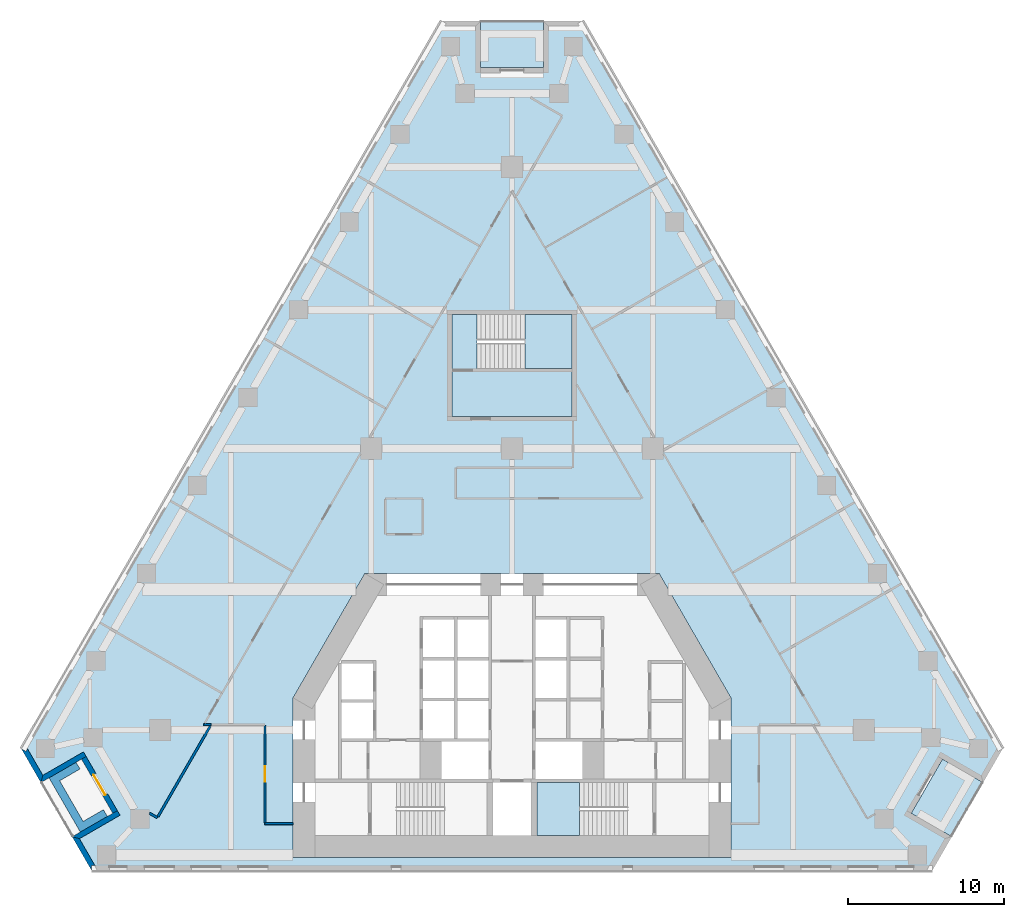
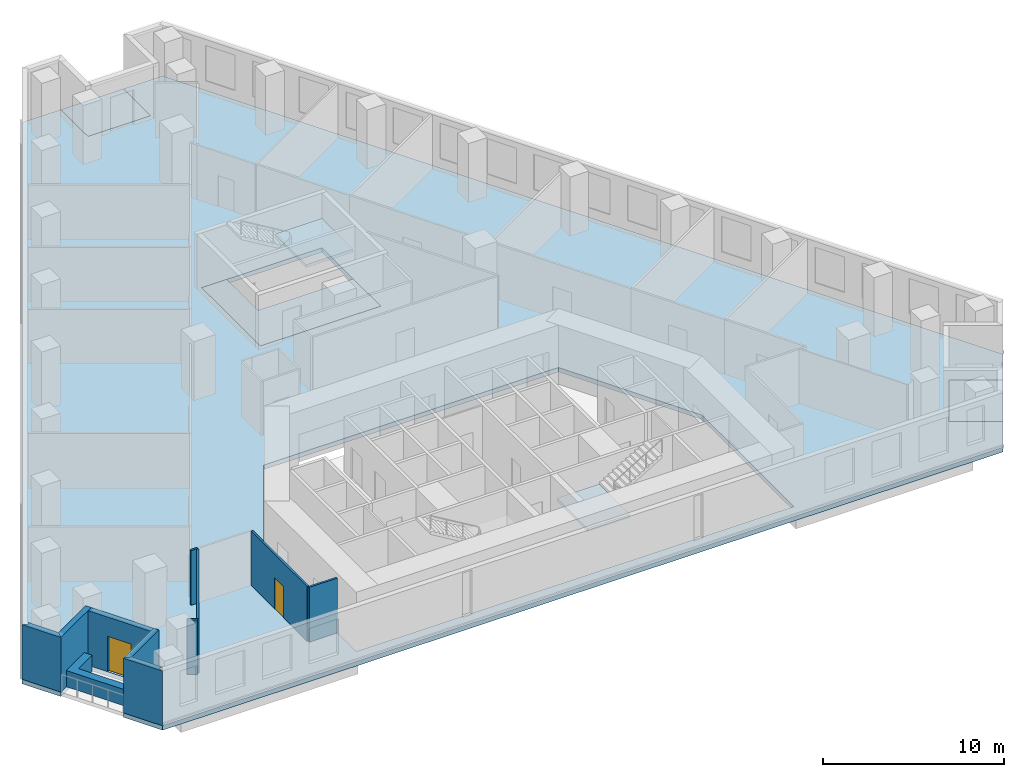
# One storey, part 2 of 9: 11 walls, 6 slabs, 2 doors, 2 openings, 2 elements without a shape of their own.
"""IFC4 building model written with IfcOpenShell, lengths in metres."""

from ifc_helpers import new_model, si_unit, direction, frame, frame_2d, origin, place, context, subcontext, project, spatial, polyline, rectangle, outline, extrude, material, layer, layer_set, type_object, element, fill, aggregate, save


model = new_model("IFC4")

# Units and contexts
model_context = context("Model", 3, precision=1e-05, world=origin(), true_north=direction((0.0, 1.0)))
body_context = subcontext(model_context, "Body", "Model", "MODEL_VIEW")
ifc_project = project(units=[si_unit("LENGTHUNIT", "METRE"), si_unit("AREAUNIT", "SQUARE_METRE"), si_unit("VOLUMEUNIT", "CUBIC_METRE"), si_unit("PLANEANGLEUNIT", "RADIAN"), si_unit("MASSUNIT", "GRAM", prefix="KILO")], contexts=[model_context])

# Site, building, storey
site_placement = place(None, origin())
site = spatial("IfcSite", under=ifc_project, at=site_placement, CompositionType="ELEMENT")
building_placement = place(site_placement, origin())
building = spatial("IfcBuilding", under=site, at=building_placement, Name="Fogline Exchange Tower", CompositionType="ELEMENT")
storey_placement = place(building_placement, frame((0.0, 0.0, 72.89990234375)))
storey = spatial("IfcBuildingStorey", under=building, at=storey_placement, Name="L15", CompositionType="ELEMENT", Elevation=72.89990234375)

# Slabs
ifc_material_1 = material(Name="Concrete C40", Category="concrete")
ifc_layer_1 = layer(ifc_material_1, 0.25)
ifc_layer_set_1 = layer_set([ifc_layer_1], Name="DK1")
slab_type_1 = type_object("IfcSlabType", Name="DK1", PredefinedType="FLOOR", material=ifc_layer_set_1)
slab_1_placement = place(storey_placement, frame((0.0, 0.0, -0.25)))
element("IfcSlab", 1, at=slab_1_placement, inside=storey, type_object=slab_type_1, Name="Balcony L15 SE", PredefinedType="FLOOR", context=body_context, shape_type="SweptSolid", body=[
    extrude(outline(polyline([(28.1328125, 2.1650390625), (30.1328125, 5.629150390625), (27.534912109375, 7.129150390625), (25.534912109375, 3.6650390625), (28.1328125, 2.1650390625)])), origin(), (0.0, 0.0, 1.0), 0.25),
])
slab_2_placement = place(storey_placement, frame((0.0, 0.0, -0.25)))
element("IfcSlab", 2, at=slab_2_placement, inside=storey, type_object=slab_type_1, Name="Balcony L15 N", PredefinedType="FLOOR", context=body_context, shape_type="SweptSolid", body=[
    extrude(outline(polyline([(2.0, 54.356689453125), (-2.0, 54.356689453125), (-2.0, 51.356689453125), (2.0, 51.356689453125), (2.0, 54.356689453125)])), origin(), (0.0, 0.0, 1.0), 0.25),
])
ifc_layer_2 = layer(ifc_material_1, 0.300048828125)
ifc_layer_set_2 = layer_set([ifc_layer_2], Name="S04")
slab_type_2 = type_object("IfcSlabType", Name="S04", PredefinedType="FLOOR", material=ifc_layer_set_2)
slab_3_placement = place(storey_placement, frame((0.0, 0.0, -0.2998046875)))
element("IfcSlab", 3, at=slab_3_placement, inside=storey, type_object=slab_type_2, Name="SLAB L15", PredefinedType="FLOOR", context=body_context, shape_type="SweptSolid", body=[
    extrude(outline(polyline([(-2.0, 54.356689453125), (-4.5, 54.356689453125), (-31.3828125, 7.794189453125), (-30.1328125, 5.629150390625), (-27.534912109375, 7.129150390625), (-25.534912109375, 3.6650390625), (-28.1328125, 2.1650390625), (-26.8828125, 0.0), (26.8828125, 0.0), (28.1328125, 2.1650390625), (25.534912109375, 3.6650390625), (27.534912109375, 7.129150390625), (30.1328125, 5.629150390625), (31.3828125, 7.794189453125), (4.5, 54.356689453125), (2.0, 54.356689453125), (2.0, 51.356689453125), (-2.0, 51.356689453125), (-2.0, 54.356689453125)]), holes=[polyline([(14.0, 11.052490234375), (14.0, 0.85009765625), (-14.0, 0.85009765625), (-14.0, 11.052490234375), (-9.41162109375, 19.0), (9.41162109375, 19.0), (14.0, 11.052490234375)]), polyline([(3.85009765625, 35.556884765625), (3.85009765625, 29.056884765625), (-3.85009765625, 29.056884765625), (-3.85009765625, 35.556884765625), (3.85009765625, 35.556884765625)])]), origin(), (0.0, 0.0, 1.0), 0.2998046875),
])
slab_4_placement = place(storey_placement, frame((0.0, 0.0, -0.2998046875)))
element("IfcSlab", 4, at=slab_4_placement, inside=storey, type_object=slab_type_2, Name="Stair enclosure floor slab", PredefinedType="FLOOR", context=body_context, shape_type="SweptSolid", body=[
    extrude(outline(polyline([(3.85009765625, 29.056884765625), (-3.85009765625, 29.056884765625), (-3.85009765625, 35.556884765625), (-2.239990234375, 35.556884765625), (-2.239990234375, 32.10693359375), (3.85009765625, 32.10693359375), (3.85009765625, 29.056884765625)])), origin(), (0.0, 0.0, 1.0), 0.2998046875),
])

# Stair, slab
stair_type = type_object("IfcStairType", Name="STR24-1667", PredefinedType="HALF_TURN_STAIR", material=ifc_material_1)
stair_1_placement = place(storey_placement, origin())
stair_1 = element("IfcStair", 5, at=stair_1_placement, inside=storey, type_object=stair_type, Name="Stair ST2", PredefinedType="HALF_TURN_STAIR")
ifc_layer_3 = layer(ifc_material_1, 0.199951171875)
ifc_layer_set_3 = layer_set([ifc_layer_3], Name="SL200")
slab_type_3 = type_object("IfcSlabType", Name="SL200", PredefinedType="LANDING", material=ifc_layer_set_3)
slab_5_placement = place(storey_placement, frame((0.0, 0.0, 1.800048828125)))
slab_5 = element("IfcSlab", 6, at=slab_5_placement, type_object=slab_type_3, Name="ST2 landing 1", PredefinedType="LANDING", context=body_context, shape_type="SweptSolid", body=[
    extrude(outline(polyline([(1.60009765625, 2.25), (4.320068359375, 2.25), (4.320068359375, 5.64990234375), (1.60009765625, 5.64990234375), (1.60009765625, 2.25)])), origin(), (0.0, 0.0, 1.0), 0.199951171875),
])
aggregate(stair_1, [slab_5])

stair_2_placement = place(storey_placement, origin())
stair_2 = element("IfcStair", 7, at=stair_2_placement, inside=storey, type_object=stair_type, Name="Stair ST3", PredefinedType="HALF_TURN_STAIR")
slab_6_placement = place(storey_placement, frame((0.0, 0.0, 1.800048828125)))
slab_6 = element("IfcSlab", 8, at=slab_6_placement, type_object=slab_type_3, Name="ST3 landing 1", PredefinedType="LANDING", context=body_context, shape_type="SweptSolid", body=[
    extrude(outline(polyline([(0.830078125, 32.10693359375), (3.85009765625, 32.10693359375), (3.85009765625, 35.556884765625), (0.830078125, 35.556884765625), (0.830078125, 32.10693359375)])), origin(), (0.0, 0.0, 1.0), 0.199951171875),
])
aggregate(stair_2, [slab_6])

# Walls
ifc_material_2 = material(Name="Brick masonry", Category="masonry")
ifc_layer_4 = layer(ifc_material_2, 0.340087890625)
ifc_layer_set_4 = layer_set([ifc_layer_4], Name="FW1")
wall_type_1 = type_object("IfcWallType", Name="FW1", PredefinedType="SOLIDWALL", material=ifc_layer_set_4)
wall_1_placement = place(storey_placement, origin())
element("IfcWall", 9, at=wall_1_placement, inside=storey, type_object=wall_type_1, Name="Brick wall L15 SW-c1", PredefinedType="SOLIDWALL", context=body_context, shape_type="SweptSolid", body=[
    extrude(outline(polyline([(-30.1328125, 5.6279296875), (-31.3837890625, 7.794921875), (-31.383544921875, 7.79541015625), (-31.088623046875, 7.625), (-30.990234375, 7.79541015625), (-30.0078125, 6.09375), (-30.132568359375, 5.6279296875), (-30.1328125, 5.6279296875)])), origin(), (0.0, 0.0, 1.0), 3.7001953125),
])
wall_2_placement = place(storey_placement, origin())
element("IfcWall", 10, at=wall_2_placement, inside=storey, type_object=wall_type_1, Name="Brick wall L15 SW-s1", PredefinedType="SOLIDWALL", context=body_context, shape_type="SweptSolid", body=[
    extrude(outline(polyline([(-27.41015625, 7.594482421875), (-27.239501953125, 7.298828125), (-27.534423828125, 7.128662109375), (-30.133544921875, 5.628173828125), (-30.1337890625, 5.62841796875), (-30.0087890625, 6.093994140625), (-27.41015625, 7.594482421875)])), origin(), (0.0, 0.0, 1.0), 3.7001953125),
])

# Wall, opening, door
wall_3_placement = place(storey_placement, frame((-27.387451171875, 7.214111328125, 0.0), z_axis=(0.0, 0.0, 1.0), x_axis=(0.49999894854, -0.866026010844, 0.0)))
wall_3 = element("IfcWall", 11, at=wall_3_placement, inside=storey, type_object=wall_type_1, Name="Brick wall L15 SW-bk", PredefinedType="SOLIDWALL", context=body_context, shape_type="SweptSolid", body=[
    extrude(rectangle(XDim=4.0, YDim=0.340087890625, at=frame_2d((2.0, 0.0))), origin(), (0.0, 0.0, 1.0), 3.7001953125),
])
opening_1_placement = place(wall_3_placement, frame((1.25, 0.0, 0.0)))
opening_1 = element("IfcOpeningElement", 12, at=opening_1_placement, cuts=wall_3, Name="Opening T04-E021", PredefinedType="OPENING", context=body_context, shape_type="SweptSolid", body=[
    extrude(rectangle(XDim=1.5, YDim=2.39990234375, at=frame_2d((0.75, 1.199951171875))), frame((0.0, 0.18017578125, 0.0), z_axis=(0.0, -1.0, 0.0), x_axis=(1.0, 0.0, 0.0)), (0.0, 0.0, 1.0), 0.360107421875),
])
ifc_material_3 = material(Name="Aluminium and glass", Category="aluminium")
door_type_1 = type_object("IfcDoorType", Name="ED4", OperationType="SINGLE_SWING_LEFT", PredefinedType="DOOR", material=ifc_material_3)
door_1_placement = place(opening_1_placement, frame((1.5, 0.0, 0.0), z_axis=(0.0, 0.0, 1.0), x_axis=(-1.0, 0.0, 0.0)))
door_1 = element("IfcDoor", 13, at=door_1_placement, inside=storey, type_object=door_type_1, Name="Balcony door L15 SW", OperationType="DOUBLE_DOOR_SINGLE_SWING", OverallHeight=2.39990234375, OverallWidth=1.5, PredefinedType="DOOR", context=body_context, shape_type="SweptSolid", body=[
    extrude(rectangle(XDim=1.5, YDim=2.39990234375, at=frame_2d((0.75, 1.199951171875))), frame((0.0, 0.02490234375, 0.0), z_axis=(0.0, -1.0, 0.0), x_axis=(1.0, 0.0, 0.0)), (0.0, 0.0, 1.0), 0.050048828125),
])
fill(opening_1, door_1)

# Walls
wall_4_placement = place(storey_placement, origin())
element("IfcWall", 14, at=wall_4_placement, inside=storey, type_object=wall_type_1, Name="Brick wall L15 SW-s2", PredefinedType="SOLIDWALL", context=body_context, shape_type="SweptSolid", body=[
    extrude(outline(polyline([(-28.134033203125, 2.1650390625), (-25.53515625, 3.66552734375), (-25.239990234375, 3.8359375), (-25.069580078125, 3.540283203125), (-27.668212890625, 2.0400390625), (-28.134033203125, 2.164794921875), (-28.134033203125, 2.1650390625)])), origin(), (0.0, 0.0, 1.0), 3.7001953125),
])
wall_5_placement = place(storey_placement, origin())
element("IfcWall", 15, at=wall_5_placement, inside=storey, type_object=wall_type_1, Name="Brick wall L15 SW-c2", PredefinedType="SOLIDWALL", context=body_context, shape_type="SweptSolid", body=[
    extrude(outline(polyline([(-26.685546875, 0.33935546875), (-26.88232421875, 0.33935546875), (-26.88232421875, -0.0009765625), (-26.8828125, -0.001220703125), (-28.1337890625, 2.165771484375), (-28.1337890625, 2.166015625), (-27.66796875, 2.041015625), (-26.685546875, 0.33935546875)])), origin(), (0.0, 0.0, 1.0), 3.7001953125),
])
ifc_material_4 = material(Name="Concrete C30", Category="concrete")
ifc_layer_5 = layer(ifc_material_4, 0.199951171875)
ifc_layer_set_5 = layer_set([ifc_layer_5], Name="PL1")
wall_type_2 = type_object("IfcWallType", Name="PL1", PredefinedType="USERDEFINED", material=ifc_layer_set_5)
wall_6_placement = place(storey_placement, origin())
element("IfcWall", 16, at=wall_6_placement, inside=storey, type_object=wall_type_2, Name="PLANTER balcony L15 SW", ObjectType="PLANTER", PredefinedType="USERDEFINED", context=body_context, shape_type="SweptSolid", body=[
    extrude(outline(polyline([(-26.131103515625, 3.898193359375), (-27.43017578125, 3.148193359375), (-28.93017578125, 5.74609375), (-27.631103515625, 6.49609375), (-27.881103515625, 6.92919921875), (-29.61328125, 5.92919921875), (-29.36328125, 5.49609375), (-27.61328125, 2.465087890625), (-27.18017578125, 2.715087890625), (-27.18017578125, 2.715087890625), (-25.881103515625, 3.465087890625), (-26.131103515625, 3.898193359375)])), origin(), (0.0, 0.0, 1.0), 1.10009765625),
])
ifc_material_5 = material(Name="Plasterboard corridor partition with mineral wool, 2 layers each side")
ifc_layer_6 = layer(ifc_material_5, 0.125)
ifc_layer_set_6 = layer_set([ifc_layer_6], Name="PW2")
wall_type_3 = type_object("IfcWallType", Name="PW2", PredefinedType="PARTITIONING", material=ifc_layer_set_6)
wall_7_placement = place(storey_placement, frame((-14.0, 3.0, 0.0), z_axis=(0.0, 0.0, 1.0), x_axis=(-1.0, 0.0, 0.0)))
element("IfcWall", 17, at=wall_7_placement, inside=storey, type_object=wall_type_3, Name="wall-L15-W007", PredefinedType="PARTITIONING", context=body_context, shape_type="SweptSolid", body=[
    extrude(rectangle(XDim=1.800048828125, YDim=0.125, at=frame_2d((0.89990234375, 0.0))), origin(), (0.0, 0.0, 1.0), 3.7001953125),
])

# Wall, opening, door
wall_8_placement = place(storey_placement, frame((-15.800048828125, 3.0625, 0.0), z_axis=(0.0, 0.0, 1.0), x_axis=(0.0, 1.0, 0.0)))
wall_8 = element("IfcWall", 18, at=wall_8_placement, inside=storey, type_object=wall_type_3, Name="wall-L15-W008", PredefinedType="PARTITIONING", context=body_context, shape_type="SweptSolid", body=[
    extrude(rectangle(XDim=6.215087890625, YDim=0.125, at=frame_2d((3.107421875, 0.0))), origin(), (0.0, 0.0, 1.0), 3.7001953125),
])
opening_2_placement = place(wall_8_placement, frame((2.607421875, 0.0, 0.0)))
opening_2 = element("IfcOpeningElement", 19, at=opening_2_placement, cuts=wall_8, Name="Opening T04-D004", PredefinedType="OPENING", context=body_context, shape_type="SweptSolid", body=[
    extrude(rectangle(XDim=1.0, YDim=2.10009765625, at=frame_2d((0.5, 1.050048828125))), frame((0.0, 0.072509765625, 0.0), z_axis=(0.0, -1.0, 0.0), x_axis=(1.0, 0.0, 0.0)), (0.0, 0.0, 1.0), 0.14501953125),
])
ifc_material_6 = material(Name="Fire-rated timber door leaf with steel frame", Category="steel")
door_type_2 = type_object("IfcDoorType", Name="D3", OperationType="SINGLE_SWING_LEFT", PredefinedType="DOOR", material=ifc_material_6)
door_2_placement = place(opening_2_placement, origin())
door_2 = element("IfcDoor", 20, at=door_2_placement, inside=storey, type_object=door_type_2, Name="door-L15-D004", OperationType="SINGLE_SWING_LEFT", OverallHeight=2.10009765625, OverallWidth=1.0, PredefinedType="DOOR", context=body_context, shape_type="SweptSolid", body=[
    extrude(rectangle(XDim=1.0, YDim=2.10009765625, at=frame_2d((0.5, 1.050048828125))), frame((0.0, 0.02490234375, 0.0), z_axis=(0.0, -1.0, 0.0), x_axis=(1.0, 0.0, 0.0)), (0.0, 0.0, 1.0), 0.050048828125),
])
fill(opening_2, door_2)

# Walls
wall_9_placement = place(storey_placement, frame((-19.24365234375, 9.340087890625, 0.0), z_axis=(0.0, 0.0, 1.0), x_axis=(-1.0, 0.0, 0.0)))
element("IfcWall", 21, at=wall_9_placement, inside=storey, type_object=wall_type_3, Name="wall-L15-W022", PredefinedType="PARTITIONING", context=body_context, shape_type="SweptSolid", body=[
    extrude(rectangle(XDim=0.4619140625, YDim=0.125, at=frame_2d((0.23095703125, 0.0))), origin(), (0.0, 0.0, 1.0), 3.7001953125),
])
ifc_material_7 = material(Name="Plasterboard demising partition with mineral wool and acoustic board")
ifc_layer_7 = layer(ifc_material_7, 0.14990234375)
ifc_layer_set_7 = layer_set([ifc_layer_7], Name="PW3")
wall_type_4 = type_object("IfcWallType", Name="PW3", PredefinedType="PARTITIONING", material=ifc_layer_set_7)
wall_10_placement = place(storey_placement, frame((-19.301513671875, 9.239501953125, 0.0), z_axis=(0.0, 0.0, 1.0), x_axis=(-0.50000575311, -0.866022082199, 0.0)))
element("IfcWall", 22, at=wall_10_placement, inside=storey, type_object=wall_type_4, Name="wall-L15-W045", PredefinedType="PARTITIONING", context=body_context, shape_type="SweptSolid", body=[
    extrude(rectangle(XDim=6.68896484375, YDim=0.14990234375, at=frame_2d((3.344482421875, 0.0))), origin(), (0.0, 0.0, 1.0), 3.7001953125),
])
wall_11_placement = place(storey_placement, frame((-22.68359375, 3.381591796875, 0.0), z_axis=(0.0, 0.0, 1.0), x_axis=(-0.865924606013, 0.500174546235, 0.0)))
element("IfcWall", 23, at=wall_11_placement, inside=storey, type_object=wall_type_4, Name="wall-L15-W046", PredefinedType="PARTITIONING", context=body_context, shape_type="SweptSolid", body=[
    extrude(rectangle(XDim=0.592041015625, YDim=0.14990234375, at=frame_2d((0.2958984375, 0.0))), origin(), (0.0, 0.0, 1.0), 3.7001953125),
])

save(model, "model.ifc")
